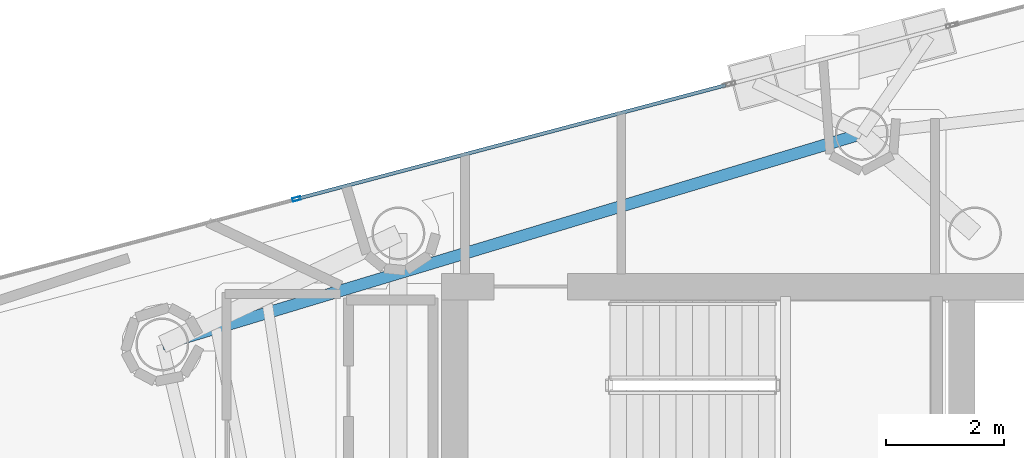
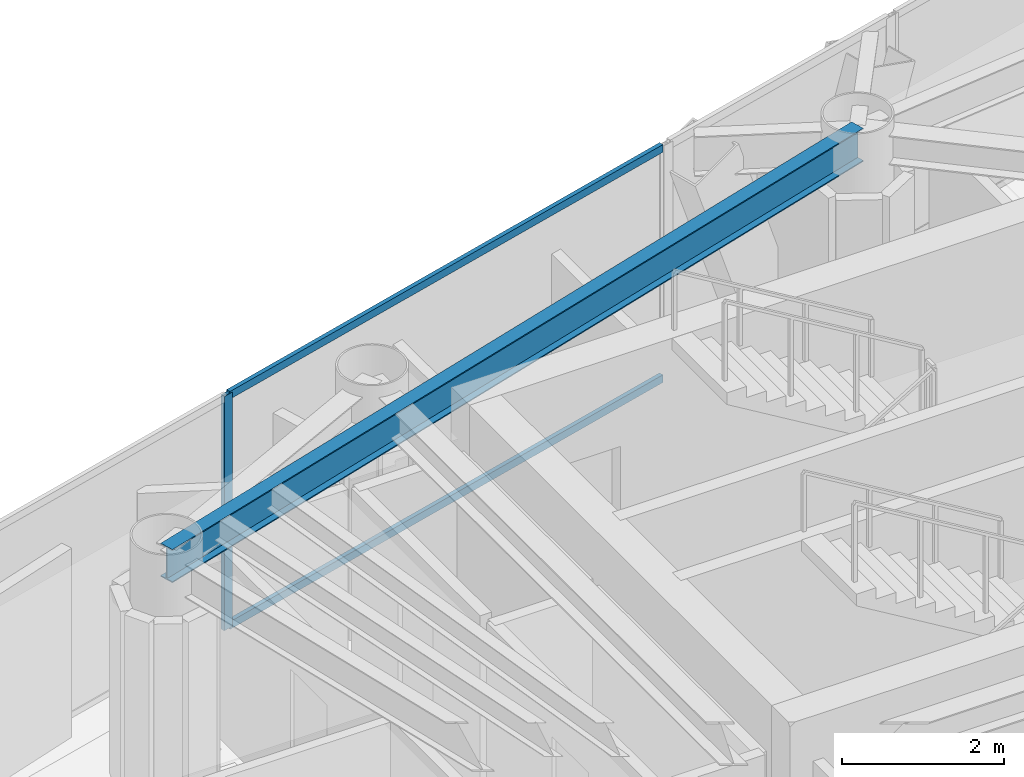
# One storey, part 9 of 23: 3 members, 1 beam, 1 element without a shape of its own.
"""IFC4 building model written with IfcOpenShell, lengths in metres."""

from ifc_helpers import new_model, si_unit, direction, frame, origin, origin_2d, place, context, subcontext, project, spatial, hollow_rectangle, i_section, extrude, material, layer, layer_set, material_profile, profile_set, type_object, element, aggregate, save


model = new_model("IFC4")

# Units and contexts
model_context = context("Model", 3, precision=1e-05, world=origin(), true_north=direction((0.0, 1.0)))
body_context = subcontext(model_context, "Body", "Model", "MODEL_VIEW")
ifc_project = project(units=[si_unit("LENGTHUNIT", "METRE"), si_unit("AREAUNIT", "SQUARE_METRE"), si_unit("VOLUMEUNIT", "CUBIC_METRE"), si_unit("PLANEANGLEUNIT", "RADIAN"), si_unit("MASSUNIT", "GRAM", prefix="KILO")], contexts=[model_context])

# Site, building, storey
site_placement = place(None, origin())
site = spatial("IfcSite", under=ifc_project, at=site_placement, CompositionType="ELEMENT")
building_placement = place(site_placement, origin())
building = spatial("IfcBuilding", under=site, at=building_placement, Name="Qianvela Tower", CompositionType="ELEMENT")
storey_placement = place(building_placement, frame((0.0, 0.0, 313.89990234375)))
storey = spatial("IfcBuildingStorey", under=building, at=storey_placement, Name="L81", CompositionType="ELEMENT", Elevation=313.89990234375)

# Beam
ifc_material_1 = material(Name="Steel Q355B", Category="steel")
ifc_material_profile_1 = material_profile(ifc_material_1, i_section(OverallWidth=0.199951171875, OverallDepth=0.5, WebThickness=0.010009765625, FlangeThickness=0.01611328125, at=origin_2d()), Name="HN500x200x10x16")
ifc_profile_set_1 = profile_set([ifc_material_profile_1], Name="Steel Q355B")
beam_type = type_object("IfcBeamType", Name="BM-HN500-GIRD", PredefinedType="BEAM", material=ifc_profile_set_1)
beam_placement = place(storey_placement, frame((36.47607421875, 35.242919921875, 3.26806640625), z_axis=(-0.957535726794, -0.288314640478, 0.0), x_axis=(0.288314640478, -0.957535726794, 0.0)))
element("IfcBeam", 1, at=beam_placement, inside=storey, type_object=beam_type, Name="L81 Perimeter Ring Spandrel Girder 2", PredefinedType="BEAM", context=body_context, shape_type="SweptSolid", body=[
    extrude(i_section(OverallWidth=0.199951171875, OverallDepth=0.5, WebThickness=0.010009765625, FlangeThickness=0.01611328125, at=origin_2d()), origin(), (0.0, 0.0, 1.0), 12.41650390625),
])

# Curtain wall, members
ifc_material_2 = material(Name="Anodised Architectural Aluminium and Low-E Glass", Category="aluminium")
ifc_layer = layer(ifc_material_2, 0.14990234375)
ifc_layer_set = layer_set([ifc_layer], Name="Anodised Architectural Aluminium and Low-E Glass")
curtain_wall_type = type_object("IfcCurtainWallType", Name="CW-COLIV-Z78", PredefinedType="USERDEFINED", material=ifc_layer_set)
curtain_wall_placement = place(storey_placement, origin())
curtain_wall = element("IfcCurtainWall", 2, at=curtain_wall_placement, inside=storey, type_object=curtain_wall_type, Name="L81 CW-COLIV-Z78 Curtain Wall 02C", ObjectType="CURTAIN_WALL_SYSTEM", PredefinedType="USERDEFINED")
ifc_material_3 = material(Name="Anodised Architectural Aluminium 6063-T6", Category="aluminium")
ifc_material_profile_2 = material_profile(ifc_material_3, hollow_rectangle(XDim=0.06005859375, YDim=0.139892578125, WallThickness=0.00439453125, at=origin_2d()), Name="ALU-MULL-60x140")
ifc_profile_set_2 = profile_set([ifc_material_profile_2], Name="Anodised Architectural Aluminium 6063-T6")
member_type_1 = type_object("IfcMemberType", Name="CW-COLIV-Z78-MULL", PredefinedType="MULLION", material=ifc_profile_set_2)
member_1_placement = place(storey_placement, frame((26.869384765625, 34.135986328125, 0.0), z_axis=(0.0, 0.0, 1.0), x_axis=(0.25623677384, -0.966614046935, 0.0)))
member_1 = element("IfcMember", 3, at=member_1_placement, type_object=member_type_1, Name="CW-6 mullion 2", PredefinedType="MULLION", context=body_context, shape_type="SweptSolid", body=[
    extrude(hollow_rectangle(XDim=0.06005859375, YDim=0.139892578125, WallThickness=0.00439453125, at=origin_2d()), origin(), (0.0, 0.0, 1.0), 3.52001953125),
])
ifc_material_4 = material(Name="Anodised Architectural Aluminium 6063-T6", Category="aluminium")
ifc_material_profile_3 = material_profile(ifc_material_4, hollow_rectangle(XDim=0.06005859375, YDim=0.114990234375, WallThickness=0.00390625, at=origin_2d()), Name="ALU-TRAN-60x115")
ifc_profile_set_3 = profile_set([ifc_material_profile_3], Name="Anodised Architectural Aluminium 6063-T6")
member_type_2 = type_object("IfcMemberType", Name="CW-COLIV-Z78-TRAN", PredefinedType="USERDEFINED", material=ifc_profile_set_3)
member_2_placement = place(storey_placement, frame((34.1630859375, 36.0693359375, 0.030029296875), z_axis=(-0.966613462939, -0.256238976867, 0.0), x_axis=(0.256238976867, -0.966613462939, 0.0)))
member_2 = element("IfcMember", 4, at=member_2_placement, type_object=member_type_2, Name="CW-6 transom 1.1", ObjectType="TRANSOM", PredefinedType="USERDEFINED", context=body_context, shape_type="SweptSolid", body=[
    extrude(hollow_rectangle(XDim=0.06005859375, YDim=0.114990234375, WallThickness=0.00390625, at=origin_2d()), origin(), (0.0, 0.0, 1.0), 7.515625),
])
member_3_placement = place(storey_placement, frame((34.1630859375, 36.0693359375, 3.489990234375), z_axis=(-0.966613462939, -0.256238976867, 0.0), x_axis=(0.256238976867, -0.966613462939, 0.0)))
member_3 = element("IfcMember", 5, at=member_3_placement, type_object=member_type_2, Name="CW-6 transom 1.2", ObjectType="TRANSOM", PredefinedType="USERDEFINED", context=body_context, shape_type="SweptSolid", body=[
    extrude(hollow_rectangle(XDim=0.06005859375, YDim=0.114990234375, WallThickness=0.00390625, at=origin_2d()), origin(), (0.0, 0.0, 1.0), 7.515625),
])
aggregate(curtain_wall, [member_1, member_2, member_3])

save(model, "model.ifc")
